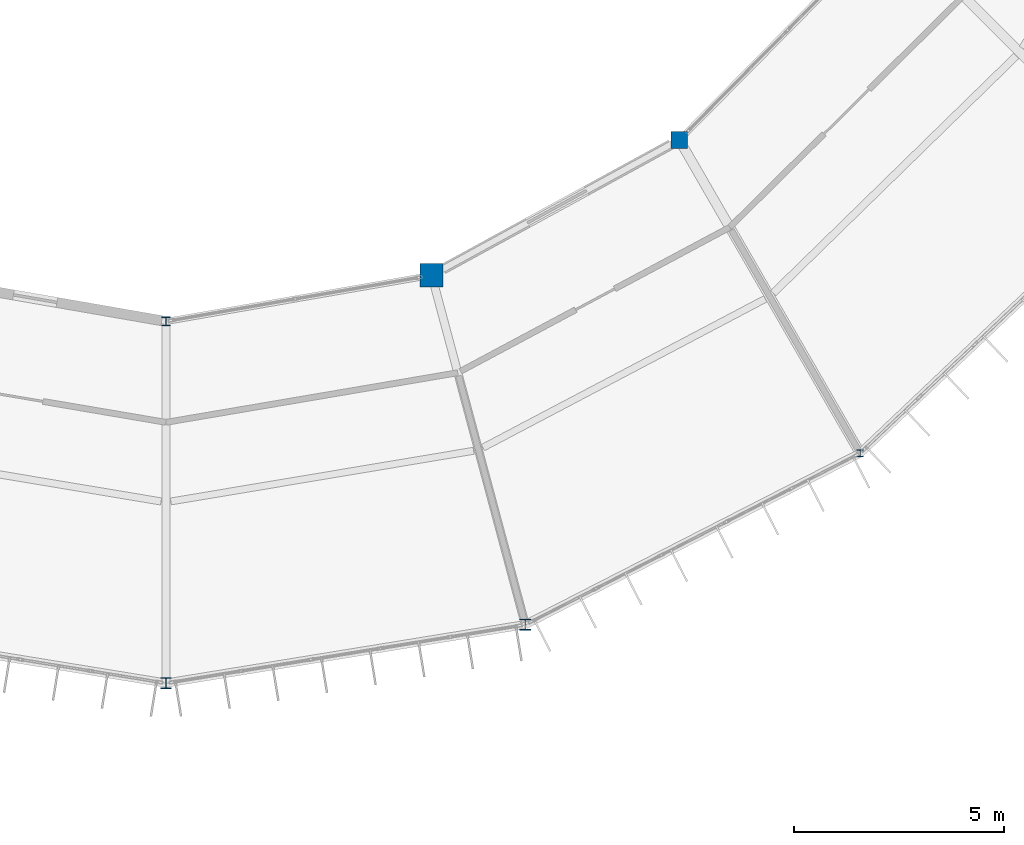
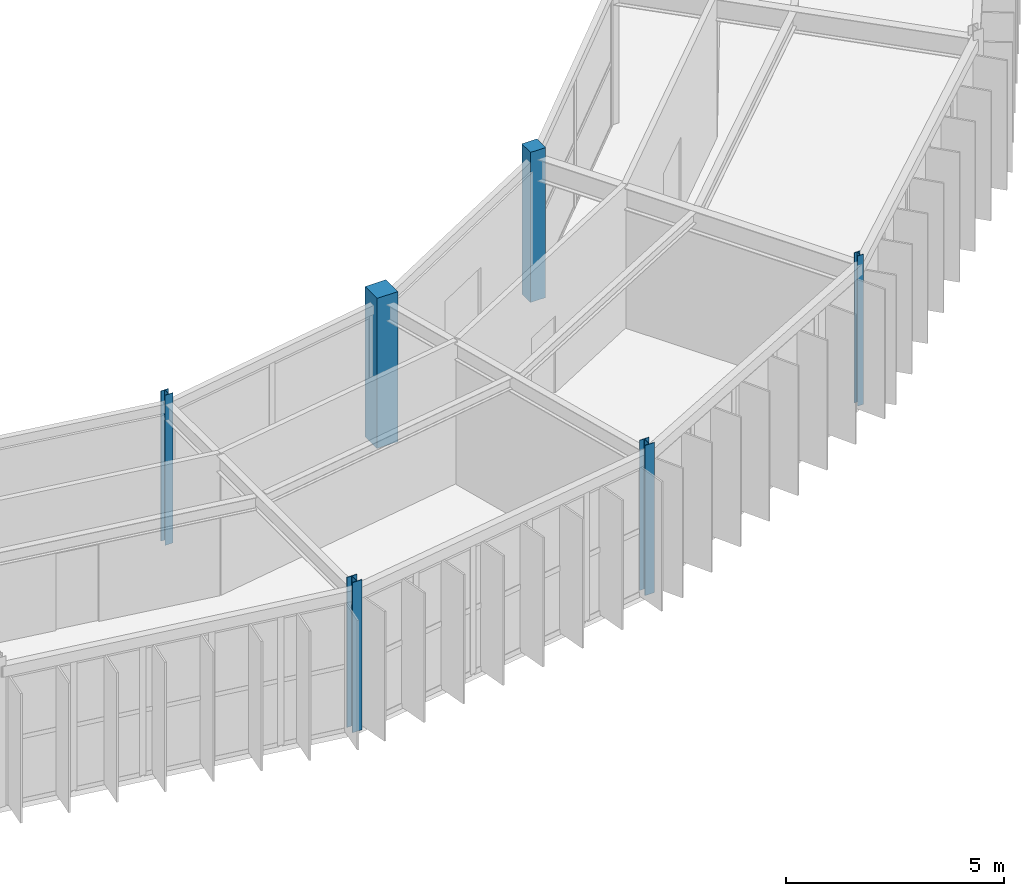
# One storey, part 8 of 157: 6 columns.
"""IFC4 building model written with IfcOpenShell, lengths in metres."""

import ifcopenshell
import ifcopenshell.guid

model = None  # the IFC model being written
_history = None  # IfcOwnerHistory: only IFC2X3 demands one
_inside = {}  # id of a spatial element -> (the spatial element, [elements in it])
_under = {}  # id of a project, library or spatial element -> (it, [spatial elements below it])
_declared = {}  # id of a project -> (the project, [libraries it declares])
_typed = {}  # id of a type object -> (the type object, [elements of that type])
_made_of = {}  # id of a material, layer set ... -> (it, [elements and type objects made of it])


def new_model(schema):
    """Start an empty IFC model of exactly this schema.

    Asked for "IFC4X3", IfcOpenShell would pick the latest addendum, in which some entities
    have other attributes; the version numbers below select the first issue.
    IFC2X3 requires an IfcOwnerHistory on every rooted entity: one is made here for all.
    """
    global model, _history
    if schema == "IFC4X3":
        model = ifcopenshell.file(schema_version=(4, 3, 0, 0))
    else:
        model = ifcopenshell.file(schema=schema)
    _inside.clear()
    _under.clear()
    _declared.clear()
    _typed.clear()
    _made_of.clear()
    _history = None
    if model.schema == "IFC2X3":
        org = make("IfcOrganization", Name="unknown")
        user = make(
            "IfcPersonAndOrganization",
            ThePerson=make("IfcPerson", FamilyName="unknown"),
            TheOrganization=org,
        )
        app = make(
            "IfcApplication",
            ApplicationDeveloper=org,
            Version="unknown",
            ApplicationFullName="unknown",
            ApplicationIdentifier="unknown",
        )
        _history = make(
            "IfcOwnerHistory",
            OwningUser=user,
            OwningApplication=app,
            ChangeAction="ADDED",
            CreationDate=0,
        )
    return model


def make(cls, **values):
    """One entity of the class cls with the attributes given. An attribute that is None is left unset."""
    return model.create_entity(
        cls, **{name: value for name, value in values.items() if value is not None}
    )


def rooted(cls, **values):
    """An entity with a GlobalId (a new one), such as an element, a storey or a relation."""
    return make(cls, GlobalId=ifcopenshell.guid.new(), OwnerHistory=_history, **values)


def si_unit(unit_type, name, prefix=None):
    """IfcSIUnit, for example si_unit("LENGTHUNIT", "METRE", prefix="MILLI")."""
    return make("IfcSIUnit", UnitType=unit_type, Prefix=prefix, Name=name)


def assignment(units):
    """IfcUnitAssignment: the units of a project."""
    return None if units is None else make("IfcUnitAssignment", Units=units)


def point(xyz):
    """IfcCartesianPoint."""
    return None if xyz is None else make("IfcCartesianPoint", Coordinates=xyz)


def direction(xyz):
    """IfcDirection."""
    return None if xyz is None else make("IfcDirection", DirectionRatios=xyz)


def frame(location, z_axis=None, x_axis=None):
    """IfcAxis2Placement3D, a coordinate frame: its origin and axes. An axis left out is left unset."""
    return make(
        "IfcAxis2Placement3D",
        Location=point(location),
        Axis=direction(z_axis),
        RefDirection=direction(x_axis),
    )


def frame_2d(location, x_axis=None):
    """IfcAxis2Placement2D, a coordinate frame in the plane: its origin and x axis."""
    return make(
        "IfcAxis2Placement2D", Location=point(location), RefDirection=direction(x_axis)
    )


def origin():
    """The frame at (0, 0, 0) with its axes left unset."""
    return frame((0.0, 0.0, 0.0))


def origin_2d():
    """The frame at (0, 0) in the plane with its x axis left unset."""
    return frame_2d((0.0, 0.0))


def place(relative_to, where):
    """IfcLocalPlacement: puts the frame where relative to a parent placement (None: the world)."""
    return make(
        "IfcLocalPlacement", PlacementRelTo=relative_to, RelativePlacement=where
    )


def context(
    kind, dimensions, precision=None, world=None, true_north=None, identifier=None
):
    """IfcGeometricRepresentationContext, for example the 3D "Model" context."""
    return make(
        "IfcGeometricRepresentationContext",
        ContextIdentifier=identifier,
        ContextType=kind,
        CoordinateSpaceDimension=dimensions,
        Precision=precision,
        WorldCoordinateSystem=world,
        TrueNorth=true_north,
    )


def subcontext(parent, identifier, kind, view, scale=None):
    """IfcGeometricRepresentationSubContext, for example "Body" below "Model"."""
    return make(
        "IfcGeometricRepresentationSubContext",
        ContextIdentifier=identifier,
        ContextType=kind,
        ParentContext=parent,
        TargetScale=scale,
        TargetView=view,
    )


def project(units=None, contexts=None):
    """IfcProject with its units and contexts."""
    return rooted(
        "IfcProject",
        Name="project",
        RepresentationContexts=contexts,
        UnitsInContext=assignment(units),
    )


def spatial(cls, under=None, at=None, **own):
    """A site, building, storey or space (cls), placed at a placement, below another one or the project."""
    s = rooted(cls, ObjectPlacement=at, **own)
    if under is not None:
        _under.setdefault(under.id(), (under, []))[1].append(s)
    return s


def profile(cls, at=None, kind="AREA", **sizes):
    """A parametric profile (cls). Its sizes go by their IFC names, for example OverallWidth=200.0."""
    return make(cls, ProfileType=kind, Position=at, **sizes)


def rectangle(**sizes):
    """IfcRectangleProfileDef."""
    return profile("IfcRectangleProfileDef", **sizes)


def i_section(**sizes):
    """IfcIShapeProfileDef."""
    return profile("IfcIShapeProfileDef", **sizes)


def extrude(swept, where, along, depth):
    """IfcExtrudedAreaSolid: the profile swept, set in the frame where, extruded along a direction by depth."""
    return make(
        "IfcExtrudedAreaSolid",
        SweptArea=swept,
        Position=where,
        ExtrudedDirection=direction(along),
        Depth=depth,
    )


def shape(context_of_items, identifier, shape_type, items):
    """IfcShapeRepresentation: the items that make up one representation, for example the "Body"."""
    return make(
        "IfcShapeRepresentation",
        ContextOfItems=context_of_items,
        RepresentationIdentifier=identifier,
        RepresentationType=shape_type,
        Items=items,
    )


def material(Name=None, Category=None):
    """IfcMaterial."""
    return make("IfcMaterial", Name=Name, Category=Category)


def material_profile(
    of_material, cross_section, Name=None, Category=None, Priority=None
):
    """IfcMaterialProfile: a cross section and its material."""
    return make(
        "IfcMaterialProfile",
        Name=Name,
        Material=of_material,
        Profile=cross_section,
        Priority=Priority,
        Category=Category,
    )


def profile_set(profiles, Name=None, composite=None):
    """IfcMaterialProfileSet."""
    return make(
        "IfcMaterialProfileSet",
        Name=Name,
        MaterialProfiles=profiles,
        CompositeProfile=composite,
    )


def made_of(thing, what):
    """Note that an element or type object is made of a material, layer set ...; save() writes the relation."""
    if what is not None:
        _made_of.setdefault(what.id(), (what, []))[1].append(thing)
    return thing


def type_object(cls, material=None, **own):
    """A type object (cls), such as IfcWallType, which elements share."""
    return made_of(rooted(cls, **own), material)


def element(
    cls,
    number,
    at=None,
    inside=None,
    cuts=None,
    type_object=None,
    material=None,
    context=None,
    identifier="Body",
    shape_type=None,
    held_by="IfcProductDefinitionShape",
    body=None,
    shapes=None,
    **own,
):
    """One element of the class cls, such as IfcWall. Its Tag is "e" and its number.

    at: its placement. inside: the storey or other place that contains it. cuts: it is an
    opening in that element (IfcRelVoidsElement). A single representation is given by context,
    identifier, shape_type and body (its items); several are given by shapes. held_by: the class
    of the entity that holds the representations. save() writes the other relations.
    """
    e = rooted(cls, Tag="e%d" % number, ObjectPlacement=at, **own)
    if body is not None:
        shapes = [shape(context, identifier, shape_type, body)]
    if shapes is not None:
        e.Representation = make(held_by, Representations=shapes)
    if inside is not None:
        _inside.setdefault(inside.id(), (inside, []))[1].append(e)
    if cuts is not None:
        rooted(
            "IfcRelVoidsElement", RelatingBuildingElement=cuts, RelatedOpeningElement=e
        )
    if type_object is not None:
        _typed.setdefault(type_object.id(), (type_object, []))[1].append(e)
    return made_of(e, material)


def aggregate(whole, parts):
    """IfcRelAggregates: a whole, such as a stair, and the parts it consists of."""
    return rooted("IfcRelAggregates", RelatingObject=whole, RelatedObjects=parts)


def save(model, path):
    """Write the relations noted so far, then the file.

    IfcRelAggregates (storeys below a building ...), IfcRelContainedInSpatialStructure (elements
    in a storey), IfcRelDefinesByType, IfcRelAssociatesMaterial and IfcRelDeclares: one each for
    every whole, place, type object, material and project.
    """
    for whole, parts in _under.values():
        aggregate(whole, parts)
    for where, things in _inside.values():
        rooted(
            "IfcRelContainedInSpatialStructure",
            RelatedElements=things,
            RelatingStructure=where,
        )
    for kind, things in _typed.values():
        rooted("IfcRelDefinesByType", RelatedObjects=things, RelatingType=kind)
    for what, things in _made_of.values():
        rooted("IfcRelAssociatesMaterial", RelatedObjects=things, RelatingMaterial=what)
    for by, libraries in _declared.values():
        rooted("IfcRelDeclares", RelatingContext=by, RelatedDefinitions=libraries)
    model.write(path)


model = new_model("IFC4")

# Units and contexts
model_context = context("Model", 3, precision=1e-05, world=origin(), true_north=direction((0.0, 1.0)))
body_context = subcontext(model_context, "Body", "Model", "MODEL_VIEW")
ifc_project = project(units=[si_unit("LENGTHUNIT", "METRE"), si_unit("AREAUNIT", "SQUARE_METRE"), si_unit("VOLUMEUNIT", "CUBIC_METRE"), si_unit("PLANEANGLEUNIT", "RADIAN"), si_unit("MASSUNIT", "GRAM", prefix="KILO")], contexts=[model_context])

# Site, building, storey
site_placement = place(None, origin())
site = spatial("IfcSite", under=ifc_project, at=site_placement, CompositionType="ELEMENT")
building_placement = place(site_placement, origin())
building = spatial("IfcBuilding", under=site, at=building_placement, Name="Karori Crest Natural Sciences Institute", CompositionType="ELEMENT")
storey_placement = place(building_placement, frame((0.0, 0.0, 13.300048828125)))
storey = spatial("IfcBuildingStorey", under=building, at=storey_placement, Name="L03", CompositionType="ELEMENT", Elevation=13.300048828125)

# Columns
ifc_material_1 = material(Name="Structural steel AS/NZS 3679.1 Grade 350", Category="steel")
ifc_material_profile_1 = material_profile(ifc_material_1, i_section(OverallWidth=0.256103515625, OverallDepth=0.260009765625, WebThickness=0.010498046875, FlangeThickness=0.017333984375, FilletRadius=0.013916015625, at=origin_2d()), Name="250UC89.5")
ifc_profile_set_1 = profile_set([ifc_material_profile_1], Name="Structural steel AS/NZS 3679.1 Grade 350")
column_type_1 = type_object("IfcColumnType", Name="CT-06", PredefinedType="COLUMN", material=ifc_profile_set_1)
column_1_placement = place(storey_placement, frame((66.39990234375, 9.10009765625, 0.0), z_axis=(0.0, 0.0, 1.0), x_axis=(1.0, 0.0, 0.0)))
element("IfcColumn", 1, at=column_1_placement, inside=storey, type_object=column_type_1, Name="Column C-0305", PredefinedType="COLUMN", context=body_context, shape_type="SweptSolid", body=[
    extrude(i_section(OverallWidth=0.256103515625, OverallDepth=0.260009765625, WebThickness=0.010498046875, FlangeThickness=0.017333984375, FilletRadius=0.013916015625, at=origin_2d()), origin(), (0.0, 0.0, 1.0), 4.199951171875),
])
ifc_material_profile_2 = material_profile(ifc_material_1, i_section(OverallWidth=0.25390625, OverallDepth=0.25390625, WebThickness=0.008544921875, FlangeThickness=0.01416015625, FilletRadius=0.013916015625, at=origin_2d()), Name="250UC72.9")
ifc_profile_set_2 = profile_set([ifc_material_profile_2], Name="Structural steel AS/NZS 3679.1 Grade 350")
column_type_2 = type_object("IfcColumnType", Name="CT-07", PredefinedType="COLUMN", material=ifc_profile_set_2)
column_2_placement = place(storey_placement, frame((74.94091796875, 10.490234375, 0.0), z_axis=(0.0, 0.0, 1.0), x_axis=(1.0, 0.0, 0.0)))
element("IfcColumn", 2, at=column_2_placement, inside=storey, type_object=column_type_2, Name="Column C-0321", PredefinedType="COLUMN", context=body_context, shape_type="SweptSolid", body=[
    extrude(i_section(OverallWidth=0.25390625, OverallDepth=0.25390625, WebThickness=0.008544921875, FlangeThickness=0.01416015625, FilletRadius=0.013916015625, at=origin_2d()), origin(), (0.0, 0.0, 1.0), 4.199951171875),
])
ifc_material_profile_3 = material_profile(ifc_material_1, i_section(OverallWidth=0.205078125, OverallDepth=0.2099609375, WebThickness=0.00927734375, FlangeThickness=0.01416015625, FilletRadius=0.010986328125, at=origin_2d()), Name="200UC59.5")
ifc_profile_set_3 = profile_set([ifc_material_profile_3], Name="Structural steel AS/NZS 3679.1 Grade 350")
column_type_3 = type_object("IfcColumnType", Name="CT-08", PredefinedType="COLUMN", material=ifc_profile_set_3)
column_3_placement = place(storey_placement, frame((66.39990234375, 17.699951171875, 0.0), z_axis=(0.0, 0.0, 1.0), x_axis=(1.0, 0.0, 0.0)))
element("IfcColumn", 3, at=column_3_placement, inside=storey, type_object=column_type_3, Name="Column C-0306", PredefinedType="COLUMN", context=body_context, shape_type="SweptSolid", body=[
    extrude(i_section(OverallWidth=0.205078125, OverallDepth=0.2099609375, WebThickness=0.00927734375, FlangeThickness=0.01416015625, FilletRadius=0.010986328125, at=origin_2d()), origin(), (0.0, 0.0, 1.0), 4.199951171875),
])
ifc_material_profile_4 = material_profile(ifc_material_1, i_section(OverallWidth=0.154052734375, OverallDepth=0.162109375, WebThickness=0.008056640625, FlangeThickness=0.011474609375, FilletRadius=0.009033203125, at=origin_2d()), Name="150UC37.2")
ifc_profile_set_4 = profile_set([ifc_material_profile_4], Name="Structural steel AS/NZS 3679.1 Grade 350")
column_type_4 = type_object("IfcColumnType", Name="CT-26", PredefinedType="COLUMN", material=ifc_profile_set_4)
column_4_placement = place(storey_placement, frame((82.89990234375, 14.566162109375, 0.0), z_axis=(0.0, 0.0, 1.0), x_axis=(1.0, 0.0, 0.0)))
element("IfcColumn", 4, at=column_4_placement, inside=storey, type_object=column_type_4, Name="Column C-0337", PredefinedType="COLUMN", context=body_context, shape_type="SweptSolid", body=[
    extrude(i_section(OverallWidth=0.154052734375, OverallDepth=0.162109375, WebThickness=0.008056640625, FlangeThickness=0.011474609375, FilletRadius=0.009033203125, at=origin_2d()), origin(), (0.0, 0.0, 1.0), 4.199951171875),
])
ifc_material_2 = material(Name="Concrete 50 MPa", Category="concrete")
ifc_material_profile_5 = material_profile(ifc_material_2, rectangle(XDim=0.550048828125, YDim=0.550048828125, at=origin_2d()), Name="RC550x550")
ifc_profile_set_5 = profile_set([ifc_material_profile_5], Name="Concrete 50 MPa")
column_type_5 = type_object("IfcColumnType", Name="CT-30", PredefinedType="COLUMN", material=ifc_profile_set_5)
column_5_placement = place(storey_placement, frame((72.715087890625, 18.797119140625, 0.0), z_axis=(0.0, 0.0, 1.0), x_axis=(1.0, 0.0, 0.0)))
element("IfcColumn", 5, at=column_5_placement, inside=storey, type_object=column_type_5, Name="Column C-0322", PredefinedType="COLUMN", context=body_context, shape_type="SweptSolid", body=[
    extrude(rectangle(XDim=0.550048828125, YDim=0.550048828125, at=origin_2d()), origin(), (0.0, 0.0, 1.0), 4.199951171875),
])
ifc_material_profile_6 = material_profile(ifc_material_2, rectangle(XDim=0.39990234375, YDim=0.39990234375, at=origin_2d()), Name="RC400x400")
ifc_profile_set_6 = profile_set([ifc_material_profile_6], Name="Concrete 50 MPa")
column_type_6 = type_object("IfcColumnType", Name="CT-31", PredefinedType="PILASTER", material=ifc_profile_set_6)
column_6_placement = place(storey_placement, frame((78.60009765625, 22.013916015625, 0.0), z_axis=(0.0, 0.0, 1.0), x_axis=(1.0, 0.0, 0.0)))
element("IfcColumn", 6, at=column_6_placement, inside=storey, type_object=column_type_6, Name="Column C-0338", PredefinedType="PILASTER", context=body_context, shape_type="SweptSolid", body=[
    extrude(rectangle(XDim=0.39990234375, YDim=0.39990234375, at=origin_2d()), origin(), (0.0, 0.0, 1.0), 4.199951171875),
])

save(model, "model.ifc")
